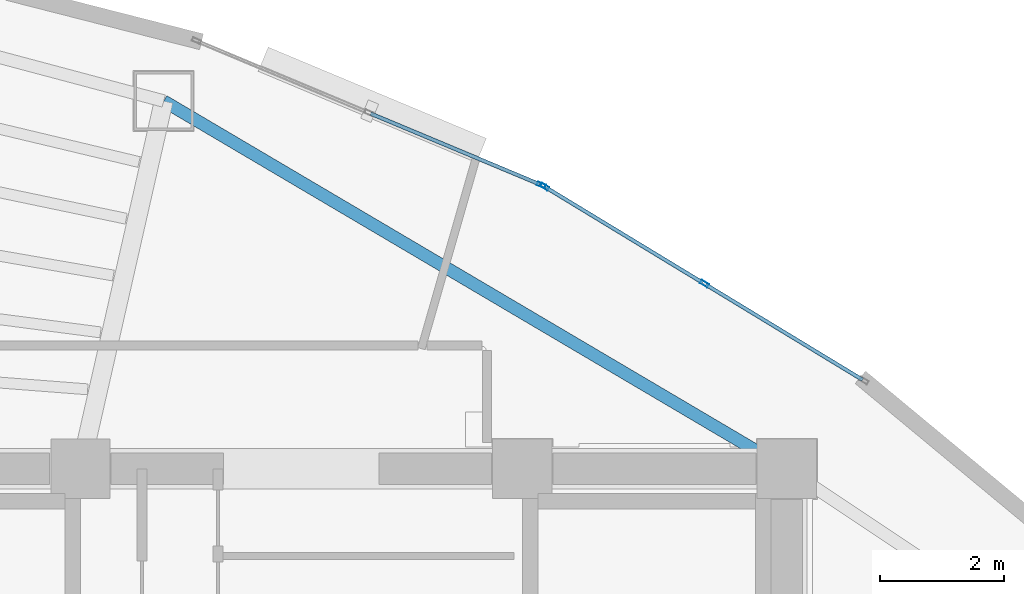
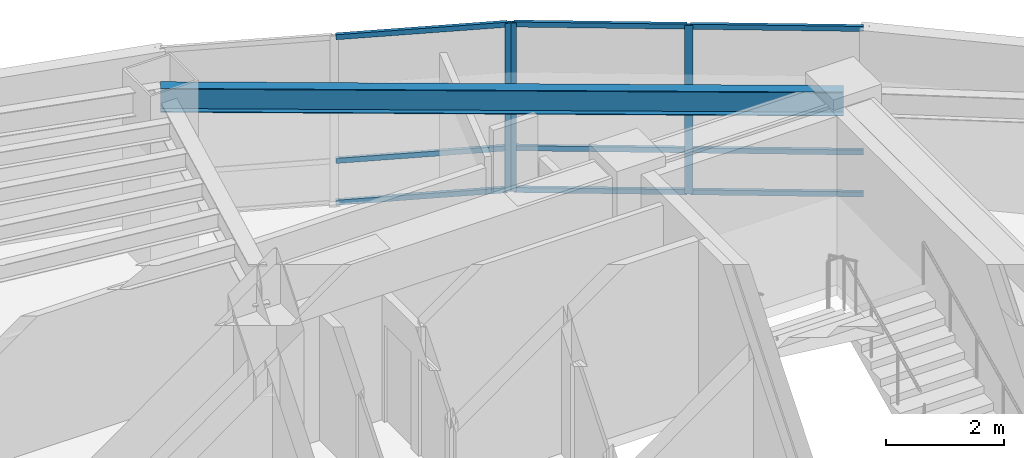
# One storey, part 10 of 16: 12 members, 1 beam, 2 elements without a shape of their own.
"""IFC4 building model written with IfcOpenShell, lengths in metres."""

from ifc_helpers import new_model, si_unit, direction, frame, origin, origin_2d, place, context, subcontext, project, spatial, hollow_rectangle, i_section, extrude, material, layer, layer_set, material_profile, profile_set, type_object, element, aggregate, save


model = new_model("IFC4")

# Units and contexts
model_context = context("Model", 3, precision=1e-05, world=origin(), true_north=direction((0.0, 1.0)))
body_context = subcontext(model_context, "Body", "Model", "MODEL_VIEW")
ifc_project = project(units=[si_unit("LENGTHUNIT", "METRE"), si_unit("AREAUNIT", "SQUARE_METRE"), si_unit("VOLUMEUNIT", "CUBIC_METRE"), si_unit("PLANEANGLEUNIT", "RADIAN"), si_unit("MASSUNIT", "GRAM", prefix="KILO")], contexts=[model_context])

# Site, building, storey
site_placement = place(None, origin())
site = spatial("IfcSite", under=ifc_project, at=site_placement, CompositionType="ELEMENT")
building_placement = place(site_placement, origin())
building = spatial("IfcBuilding", under=site, at=building_placement, Name="Menara Vayukalpa", CompositionType="ELEMENT")
storey_placement = place(building_placement, frame((0.0, 0.0, 219.5400390625)))
storey = spatial("IfcBuildingStorey", under=building, at=storey_placement, Name="L55", CompositionType="ELEMENT", Elevation=219.5400390625)

# Beam
ifc_material_1 = material(Name="Steel S355", Category="steel")
ifc_material_profile_1 = material_profile(ifc_material_1, i_section(OverallWidth=0.199951171875, OverallDepth=0.5, WebThickness=0.010009765625, FlangeThickness=0.01611328125, at=origin_2d()), Name="WF 500x200x10x16")
ifc_profile_set_1 = profile_set([ifc_material_profile_1], Name="Steel S355")
beam_type = type_object("IfcBeamType", Name="BM-SP3", PredefinedType="SPANDREL", material=ifc_profile_set_1)
beam_placement = place(storey_placement, frame((33.39990234375, 26.800048828125, 3.25), z_axis=(-0.861184403346, 0.508292655302, 0.0), x_axis=(-0.508292655302, -0.861184403346, 0.0)))
element("IfcBeam", 1, at=beam_placement, inside=storey, type_object=beam_type, Name="L55 Perimeter Spandrel Beam SP02", PredefinedType="SPANDREL", context=body_context, shape_type="SweptSolid", body=[
    extrude(i_section(OverallWidth=0.199951171875, OverallDepth=0.5, WebThickness=0.010009765625, FlangeThickness=0.01611328125, at=origin_2d()), origin(), (0.0, 0.0, 1.0), 11.6240234375),
])

# Curtain wall, members
ifc_material_2 = material(Name="Anodised Terracotta Aluminium Alloy 6063-T6", Category="masonry")
ifc_layer = layer(ifc_material_2, 0.139892578125)
ifc_layer_set = layer_set([ifc_layer], Name="Anodised Terracotta Aluminium Alloy 6063-T6")
curtain_wall_type = type_object("IfcCurtainWallType", Name="CW-CW5", PredefinedType="USERDEFINED", material=ifc_layer_set)
curtain_wall_1_placement = place(storey_placement, origin())
curtain_wall_1 = element("IfcCurtainWall", 2, at=curtain_wall_1_placement, inside=storey, type_object=curtain_wall_type, Name="L55 High Rise Tapered Curtain Wall CW5 04", ObjectType="UNITISED", PredefinedType="USERDEFINED")
ifc_material_3 = material(Name="Anodised Terracotta Aluminium Alloy 6063-T6", Category="masonry")
ifc_material_profile_2 = material_profile(ifc_material_3, hollow_rectangle(XDim=0.06005859375, YDim=0.139892578125, WallThickness=0.00341796875, at=origin_2d()), Name="ALU 60x140x3.5")
ifc_profile_set_2 = profile_set([ifc_material_profile_2], Name="Anodised Terracotta Aluminium Alloy 6063-T6")
member_type_1 = type_object("IfcMemberType", Name="CWM-CW5", PredefinedType="MULLION", material=ifc_profile_set_2)
member_1_placement = place(storey_placement, frame((32.075439453125, 29.773681640625, 0.0), z_axis=(0.0, 0.0, 1.0), x_axis=(-0.519179911779, -0.854664974832, 0.0)))
member_1 = element("IfcMember", 3, at=member_1_placement, type_object=member_type_1, Name="CW5 mullion 2", PredefinedType="MULLION", context=body_context, shape_type="SweptSolid", body=[
    extrude(hollow_rectangle(XDim=0.06005859375, YDim=0.139892578125, WallThickness=0.00341796875, at=origin_2d()), origin(), (0.0, 0.0, 1.0), 3.5),
])
member_2_placement = place(storey_placement, frame((29.509521484375, 31.33251953125, 0.0), z_axis=(0.0, 0.0, 1.0), x_axis=(-0.519179911779, -0.854664974832, 0.0)))
member_2 = element("IfcMember", 4, at=member_2_placement, type_object=member_type_1, Name="CW5 mullion 3", PredefinedType="MULLION", context=body_context, shape_type="SweptSolid", body=[
    extrude(hollow_rectangle(XDim=0.06005859375, YDim=0.139892578125, WallThickness=0.00341796875, at=origin_2d()), origin(), (0.0, 0.0, 1.0), 3.5),
])

# Curtain wall, member
curtain_wall_2_placement = place(storey_placement, origin())
curtain_wall_2 = element("IfcCurtainWall", 5, at=curtain_wall_2_placement, inside=storey, type_object=curtain_wall_type, Name="L55 High Rise Tapered Curtain Wall CW5 05", ObjectType="UNITISED", PredefinedType="USERDEFINED")
member_3_placement = place(storey_placement, frame((29.4560546875, 31.359619140625, 0.0), z_axis=(0.0, 0.0, 1.0), x_axis=(-0.385902834406, -0.922539431351, 0.0)))
member_3 = element("IfcMember", 6, at=member_3_placement, type_object=member_type_1, Name="CW5 mullion 1", PredefinedType="MULLION", context=body_context, shape_type="SweptSolid", body=[
    extrude(hollow_rectangle(XDim=0.06005859375, YDim=0.139892578125, WallThickness=0.00341796875, at=origin_2d()), origin(), (0.0, 0.0, 1.0), 3.5),
])

# Member
ifc_material_4 = material(Name="Anodised Terracotta Aluminium Alloy 6063-T6", Category="masonry")
ifc_material_profile_3 = material_profile(ifc_material_4, hollow_rectangle(XDim=0.06005859375, YDim=0.10498046875, WallThickness=0.0029296875, at=origin_2d()), Name="ALU 60x105x3")
ifc_profile_set_3 = profile_set([ifc_material_profile_3], Name="Anodised Terracotta Aluminium Alloy 6063-T6")
member_type_2 = type_object("IfcMemberType", Name="CWT-CW5", PredefinedType="USERDEFINED", material=ifc_profile_set_3)
member_4_placement = place(storey_placement, frame((34.615966796875, 28.23046875, 0.030029296875), z_axis=(-0.854683649113, 0.519149169255, 0.0), x_axis=(-0.519149169255, -0.854683649113, 0.0)))
member_4 = element("IfcMember", 7, at=member_4_placement, type_object=member_type_2, Name="CW5 transom 1.1", ObjectType="TRANSOM", PredefinedType="USERDEFINED", context=body_context, shape_type="SweptSolid", body=[
    extrude(hollow_rectangle(XDim=0.06005859375, YDim=0.10498046875, WallThickness=0.0029296875, at=origin_2d()), origin(), (0.0, 0.0, 1.0), 2.9423828125),
])

member_5_placement = place(storey_placement, frame((34.615966796875, 28.23046875, 0.89990234375), z_axis=(-0.854683649113, 0.519149169255, 0.0), x_axis=(-0.519149169255, -0.854683649113, 0.0)))
member_5 = element("IfcMember", 8, at=member_5_placement, type_object=member_type_2, Name="CW5 transom 1.2", ObjectType="TRANSOM", PredefinedType="USERDEFINED", context=body_context, shape_type="SweptSolid", body=[
    extrude(hollow_rectangle(XDim=0.06005859375, YDim=0.10498046875, WallThickness=0.0029296875, at=origin_2d()), origin(), (0.0, 0.0, 1.0), 2.9423828125),
])

member_6_placement = place(storey_placement, frame((34.615966796875, 28.23046875, 3.469970703125), z_axis=(-0.854683649113, 0.519149169255, 0.0), x_axis=(-0.519149169255, -0.854683649113, 0.0)))
member_6 = element("IfcMember", 9, at=member_6_placement, type_object=member_type_2, Name="CW5 transom 1.3", ObjectType="TRANSOM", PredefinedType="USERDEFINED", context=body_context, shape_type="SweptSolid", body=[
    extrude(hollow_rectangle(XDim=0.06005859375, YDim=0.10498046875, WallThickness=0.0029296875, at=origin_2d()), origin(), (0.0, 0.0, 1.0), 2.9423828125),
])

member_7_placement = place(storey_placement, frame((32.0498046875, 29.789306640625, 0.030029296875), z_axis=(-0.85466128475, 0.51918598628, 0.0), x_axis=(-0.51918598628, -0.85466128475, 0.0)))
member_7 = element("IfcMember", 10, at=member_7_placement, type_object=member_type_2, Name="CW5 transom 2.1", ObjectType="TRANSOM", PredefinedType="USERDEFINED", context=body_context, shape_type="SweptSolid", body=[
    extrude(hollow_rectangle(XDim=0.06005859375, YDim=0.10498046875, WallThickness=0.0029296875, at=origin_2d()), origin(), (0.0, 0.0, 1.0), 2.9423828125),
])

member_8_placement = place(storey_placement, frame((32.0498046875, 29.789306640625, 0.89990234375), z_axis=(-0.85466128475, 0.51918598628, 0.0), x_axis=(-0.51918598628, -0.85466128475, 0.0)))
member_8 = element("IfcMember", 11, at=member_8_placement, type_object=member_type_2, Name="CW5 transom 2.2", ObjectType="TRANSOM", PredefinedType="USERDEFINED", context=body_context, shape_type="SweptSolid", body=[
    extrude(hollow_rectangle(XDim=0.06005859375, YDim=0.10498046875, WallThickness=0.0029296875, at=origin_2d()), origin(), (0.0, 0.0, 1.0), 2.9423828125),
])

member_9_placement = place(storey_placement, frame((32.0498046875, 29.789306640625, 3.469970703125), z_axis=(-0.85466128475, 0.51918598628, 0.0), x_axis=(-0.51918598628, -0.85466128475, 0.0)))
member_9 = element("IfcMember", 12, at=member_9_placement, type_object=member_type_2, Name="CW5 transom 2.3", ObjectType="TRANSOM", PredefinedType="USERDEFINED", context=body_context, shape_type="SweptSolid", body=[
    extrude(hollow_rectangle(XDim=0.06005859375, YDim=0.10498046875, WallThickness=0.0029296875, at=origin_2d()), origin(), (0.0, 0.0, 1.0), 2.9423828125),
])

aggregate(curtain_wall_1, [member_1, member_2, member_4, member_5, member_6, member_7, member_8, member_9])

member_10_placement = place(storey_placement, frame((29.428466796875, 31.371337890625, 0.030029296875), z_axis=(-0.922543360613, 0.385893440976, 0.0), x_axis=(-0.385893440976, -0.922543360613, 0.0)))
member_10 = element("IfcMember", 13, at=member_10_placement, type_object=member_type_2, Name="CW5 transom 1.1", ObjectType="TRANSOM", PredefinedType="USERDEFINED", context=body_context, shape_type="SweptSolid", body=[
    extrude(hollow_rectangle(XDim=0.06005859375, YDim=0.10498046875, WallThickness=0.0029296875, at=origin_2d()), origin(), (0.0, 0.0, 1.0), 2.942626953125),
])

member_11_placement = place(storey_placement, frame((29.428466796875, 31.371337890625, 0.89990234375), z_axis=(-0.922543360613, 0.385893440976, 0.0), x_axis=(-0.385893440976, -0.922543360613, 0.0)))
member_11 = element("IfcMember", 14, at=member_11_placement, type_object=member_type_2, Name="CW5 transom 1.2", ObjectType="TRANSOM", PredefinedType="USERDEFINED", context=body_context, shape_type="SweptSolid", body=[
    extrude(hollow_rectangle(XDim=0.06005859375, YDim=0.10498046875, WallThickness=0.0029296875, at=origin_2d()), origin(), (0.0, 0.0, 1.0), 2.942626953125),
])

member_12_placement = place(storey_placement, frame((29.428466796875, 31.371337890625, 3.469970703125), z_axis=(-0.922543360613, 0.385893440976, 0.0), x_axis=(-0.385893440976, -0.922543360613, 0.0)))
member_12 = element("IfcMember", 15, at=member_12_placement, type_object=member_type_2, Name="CW5 transom 1.3", ObjectType="TRANSOM", PredefinedType="USERDEFINED", context=body_context, shape_type="SweptSolid", body=[
    extrude(hollow_rectangle(XDim=0.06005859375, YDim=0.10498046875, WallThickness=0.0029296875, at=origin_2d()), origin(), (0.0, 0.0, 1.0), 2.942626953125),
])

aggregate(curtain_wall_2, [member_3, member_10, member_11, member_12])

save(model, "model.ifc")
